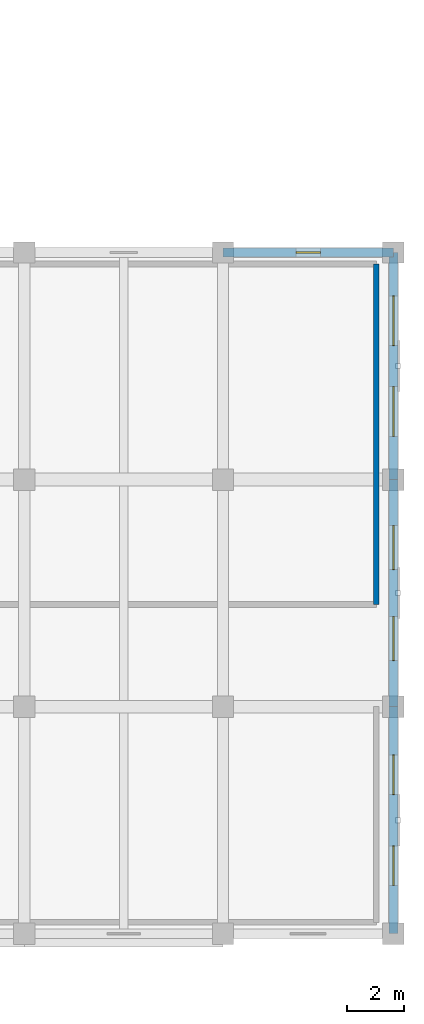
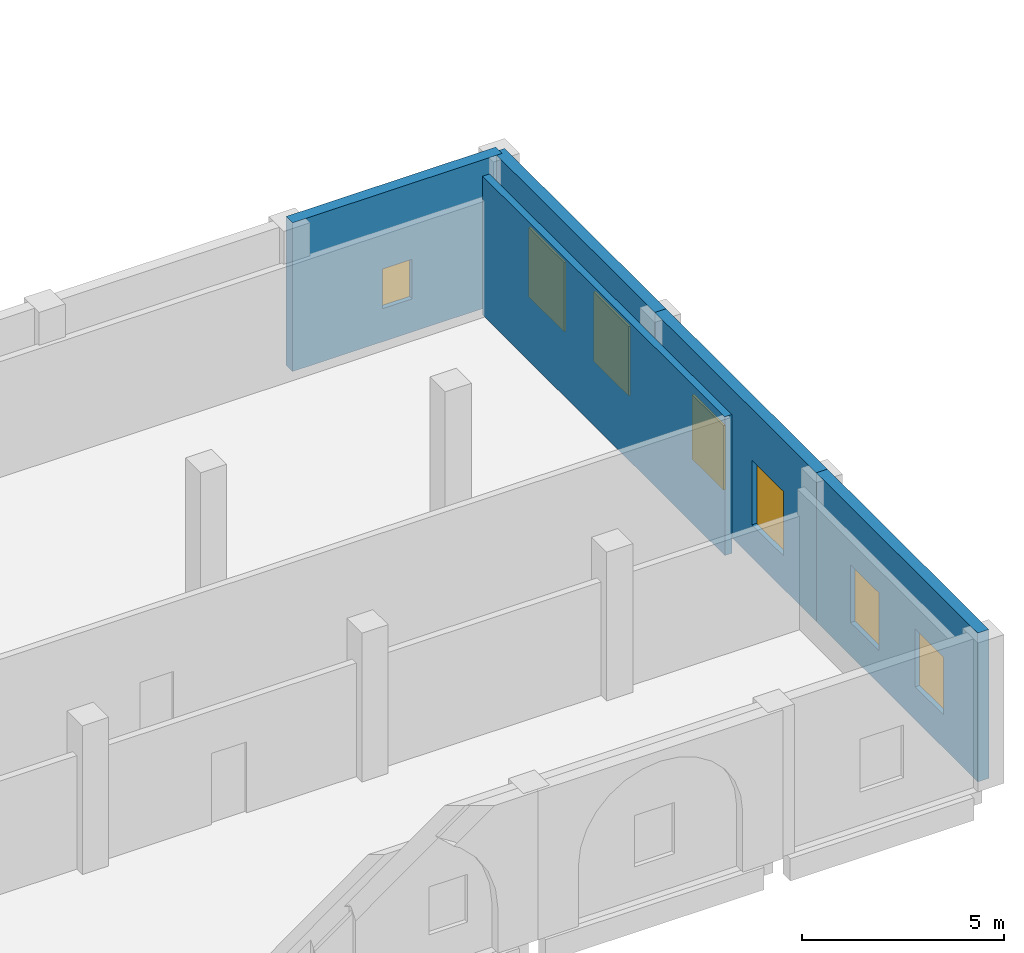
# One storey, part 36 of 53: 7 windows, 5 walls, 7 openings.
"""IFC4 building model written with IfcOpenShell, lengths in metres."""

from ifc_helpers import new_model, si_unit, direction, frame, frame_2d, origin, place, context, subcontext, project, spatial, rectangle, extrude, material, layer, layer_set, type_object, element, fill, save


model = new_model("IFC4")

# Units and contexts
model_context = context("Model", 3, precision=1e-05, world=origin(), true_north=direction((0.0, 1.0)))
body_context = subcontext(model_context, "Body", "Model", "MODEL_VIEW")
ifc_project = project(units=[si_unit("LENGTHUNIT", "METRE"), si_unit("AREAUNIT", "SQUARE_METRE"), si_unit("VOLUMEUNIT", "CUBIC_METRE"), si_unit("PLANEANGLEUNIT", "RADIAN"), si_unit("MASSUNIT", "GRAM", prefix="KILO")], contexts=[model_context])

# Site, building, storey
site_placement = place(None, origin())
site = spatial("IfcSite", under=ifc_project, at=site_placement, CompositionType="ELEMENT")
building_placement = place(site_placement, origin())
building = spatial("IfcBuilding", under=site, at=building_placement, Name="Qorikala Patio Media Centre", CompositionType="ELEMENT")
storey_placement = place(building_placement, frame((0.0, 0.0, 5.39990234375)))
storey = spatial("IfcBuildingStorey", under=building, at=storey_placement, Name="L01", CompositionType="ELEMENT", Elevation=5.39990234375)

# Wall, opening, window
ifc_material_1 = material(Name="Ivory Lime Stucco and Concrete C35/45", Category="concrete")
ifc_layer_1 = layer(ifc_material_1, 0.320068359375)
ifc_layer_set_1 = layer_set([ifc_layer_1], Name="Ivory Lime Stucco and Concrete C35/45")
wall_type_1 = type_object("IfcWallType", Name="WL-EXT-320", PredefinedType="SOLIDWALL", material=ifc_layer_set_1)
wall_1_placement = place(storey_placement, frame((161.0, 27.0, 0.0), z_axis=(0.0, 0.0, 1.0), x_axis=(1.0, 0.0, 0.0)))
wall_1 = element("IfcWall", 1, at=wall_1_placement, inside=storey, type_object=wall_type_1, Name="L01 Exterior Wall WL-L01-EXT-0055", PredefinedType="SOLIDWALL", context=body_context, shape_type="SweptSolid", body=[
    extrude(rectangle(XDim=6.0, YDim=0.320068359375, at=frame_2d((3.0, 0.0))), origin(), (0.0, 0.0, 1.0), 4.5),
])
opening_1_placement = place(wall_1_placement, frame((2.574951171875, 0.0, 1.0)))
opening_1 = element("IfcOpeningElement", 2, at=opening_1_placement, cuts=wall_1, Name="Opening WE-085", PredefinedType="OPENING", context=body_context, shape_type="SweptSolid", body=[
    extrude(rectangle(XDim=0.85009765625, YDim=1.199951171875, at=frame_2d((0.425048828125, 0.60009765625))), frame((0.0, 0.169921875, 0.0), z_axis=(0.0, -1.0, 0.0), x_axis=(1.0, 0.0, 0.0)), (0.0, 0.0, 1.0), 0.340087890625),
])
ifc_material_2 = material(Name="Bronze Anodised Aluminium and Low-E Glass", Category="aluminium")
window_type_1 = type_object("IfcWindowType", Name="WN-ED-085X120", PartitioningType="SINGLE_PANEL", PredefinedType="WINDOW", material=ifc_material_2)
window_1_placement = place(opening_1_placement, origin())
window_1 = element("IfcWindow", 3, at=window_1_placement, inside=storey, type_object=window_type_1, Name="L01 Editing Wing Casement Window 0110", OverallHeight=1.199951171875, OverallWidth=0.85009765625, PartitioningType="SINGLE_PANEL", PredefinedType="WINDOW", context=body_context, shape_type="SweptSolid", body=[
    extrude(rectangle(XDim=0.85009765625, YDim=1.199951171875, at=frame_2d((0.425048828125, 0.60009765625))), frame((0.0, 0.030029296875, 0.0), z_axis=(0.0, -1.0, 0.0), x_axis=(1.0, 0.0, 0.0)), (0.0, 0.0, 1.0), 0.06005859375),
])
fill(opening_1, window_1)

# Wall, openings, windows
wall_2_placement = place(storey_placement, frame((167.0, 27.0, 0.0), z_axis=(0.0, 0.0, 1.0), x_axis=(0.0, -1.0, 0.0)))
wall_2 = element("IfcWall", 4, at=wall_2_placement, inside=storey, type_object=wall_type_1, Name="L01 Exterior Wall WL-L01-EXT-0056", PredefinedType="SOLIDWALL", context=body_context, shape_type="SweptSolid", body=[
    extrude(rectangle(XDim=8.0, YDim=0.320068359375, at=frame_2d((4.0, 0.0))), origin(), (0.0, 0.0, 1.0), 4.5),
])
opening_2_placement = place(wall_2_placement, frame((1.52490234375, 0.0, 1.0)))
opening_2 = element("IfcOpeningElement", 5, at=opening_2_placement, cuts=wall_2, Name="Opening WE-175", PredefinedType="OPENING", context=body_context, shape_type="SweptSolid", body=[
    extrude(rectangle(XDim=1.75, YDim=2.10009765625, at=frame_2d((0.875, 1.050048828125))), frame((0.0, 0.169921875, 0.0), z_axis=(0.0, -1.0, 0.0), x_axis=(1.0, 0.0, 0.0)), (0.0, 0.0, 1.0), 0.340087890625),
])
opening_3_placement = place(wall_2_placement, frame((4.72509765625, 0.0, 1.0)))
opening_3 = element("IfcOpeningElement", 6, at=opening_3_placement, cuts=wall_2, Name="Opening WE-175", PredefinedType="OPENING", context=body_context, shape_type="SweptSolid", body=[
    extrude(rectangle(XDim=1.75, YDim=2.10009765625, at=frame_2d((0.875, 1.050048828125))), frame((0.0, 0.169921875, 0.0), z_axis=(0.0, -1.0, 0.0), x_axis=(1.0, 0.0, 0.0)), (0.0, 0.0, 1.0), 0.340087890625),
])
window_type_2 = type_object("IfcWindowType", Name="WN-ED-175X210", PartitioningType="SINGLE_PANEL", PredefinedType="WINDOW", material=ifc_material_2)
window_2_placement = place(opening_2_placement, origin())
window_2 = element("IfcWindow", 7, at=window_2_placement, inside=storey, type_object=window_type_2, Name="L01 Editing Wing Casement Window 0111", OverallHeight=2.10009765625, OverallWidth=1.75, PartitioningType="SINGLE_PANEL", PredefinedType="WINDOW", context=body_context, shape_type="SweptSolid", body=[
    extrude(rectangle(XDim=1.75, YDim=2.10009765625, at=frame_2d((0.875, 1.050048828125))), frame((0.0, 0.030029296875, 0.0), z_axis=(0.0, -1.0, 0.0), x_axis=(1.0, 0.0, 0.0)), (0.0, 0.0, 1.0), 0.06005859375),
])
fill(opening_2, window_2)
window_3_placement = place(opening_3_placement, origin())
window_3 = element("IfcWindow", 8, at=window_3_placement, inside=storey, type_object=window_type_2, Name="L01 Editing Wing Casement Window 0112", OverallHeight=2.10009765625, OverallWidth=1.75, PartitioningType="SINGLE_PANEL", PredefinedType="WINDOW", context=body_context, shape_type="SweptSolid", body=[
    extrude(rectangle(XDim=1.75, YDim=2.10009765625, at=frame_2d((0.875, 1.050048828125))), frame((0.0, 0.030029296875, 0.0), z_axis=(0.0, -1.0, 0.0), x_axis=(1.0, 0.0, 0.0)), (0.0, 0.0, 1.0), 0.06005859375),
])
fill(opening_3, window_3)

wall_3_placement = place(storey_placement, frame((167.0, 19.0, 0.0), z_axis=(0.0, 0.0, 1.0), x_axis=(0.0, -1.0, 0.0)))
wall_3 = element("IfcWall", 9, at=wall_3_placement, inside=storey, type_object=wall_type_1, Name="L01 Exterior Wall WL-L01-EXT-0057", PredefinedType="SOLIDWALL", context=body_context, shape_type="SweptSolid", body=[
    extrude(rectangle(XDim=8.0, YDim=0.320068359375, at=frame_2d((4.0, 0.0))), origin(), (0.0, 0.0, 1.0), 4.5),
])
opening_4_placement = place(wall_3_placement, frame((1.625, 0.0, 1.0)))
opening_4 = element("IfcOpeningElement", 10, at=opening_4_placement, cuts=wall_3, Name="Opening WE-155", PredefinedType="OPENING", context=body_context, shape_type="SweptSolid", body=[
    extrude(rectangle(XDim=1.550048828125, YDim=1.949951171875, at=frame_2d((0.77490234375, 0.97509765625))), frame((0.0, 0.169921875, 0.0), z_axis=(0.0, -1.0, 0.0), x_axis=(1.0, 0.0, 0.0)), (0.0, 0.0, 1.0), 0.340087890625),
])
opening_5_placement = place(wall_3_placement, frame((4.824951171875, 0.0, 1.0)))
opening_5 = element("IfcOpeningElement", 11, at=opening_5_placement, cuts=wall_3, Name="Opening WE-155", PredefinedType="OPENING", context=body_context, shape_type="SweptSolid", body=[
    extrude(rectangle(XDim=1.550048828125, YDim=1.949951171875, at=frame_2d((0.77490234375, 0.97509765625))), frame((0.0, 0.169921875, 0.0), z_axis=(0.0, -1.0, 0.0), x_axis=(1.0, 0.0, 0.0)), (0.0, 0.0, 1.0), 0.340087890625),
])
window_type_3 = type_object("IfcWindowType", Name="WN-ED-155X195", PartitioningType="SINGLE_PANEL", PredefinedType="WINDOW", material=ifc_material_2)
window_4_placement = place(opening_4_placement, origin())
window_4 = element("IfcWindow", 12, at=window_4_placement, inside=storey, type_object=window_type_3, Name="L01 Editing Wing Casement Window 0113", OverallHeight=1.949951171875, OverallWidth=1.550048828125, PartitioningType="SINGLE_PANEL", PredefinedType="WINDOW", context=body_context, shape_type="SweptSolid", body=[
    extrude(rectangle(XDim=1.550048828125, YDim=1.949951171875, at=frame_2d((0.77490234375, 0.97509765625))), frame((0.0, 0.030029296875, 0.0), z_axis=(0.0, -1.0, 0.0), x_axis=(1.0, 0.0, 0.0)), (0.0, 0.0, 1.0), 0.06005859375),
])
fill(opening_4, window_4)
window_5_placement = place(opening_5_placement, origin())
window_5 = element("IfcWindow", 13, at=window_5_placement, inside=storey, type_object=window_type_3, Name="L01 Editing Wing Casement Window 0114", OverallHeight=1.949951171875, OverallWidth=1.550048828125, PartitioningType="SINGLE_PANEL", PredefinedType="WINDOW", context=body_context, shape_type="SweptSolid", body=[
    extrude(rectangle(XDim=1.550048828125, YDim=1.949951171875, at=frame_2d((0.77490234375, 0.97509765625))), frame((0.0, 0.030029296875, 0.0), z_axis=(0.0, -1.0, 0.0), x_axis=(1.0, 0.0, 0.0)), (0.0, 0.0, 1.0), 0.06005859375),
])
fill(opening_5, window_5)

wall_4_placement = place(storey_placement, frame((167.0, 11.0, 0.0), z_axis=(0.0, 0.0, 1.0), x_axis=(0.0, -1.0, 0.0)))
wall_4 = element("IfcWall", 14, at=wall_4_placement, inside=storey, type_object=wall_type_1, Name="L01 Exterior Wall WL-L01-EXT-0058", PredefinedType="SOLIDWALL", context=body_context, shape_type="SweptSolid", body=[
    extrude(rectangle(XDim=8.0, YDim=0.320068359375, at=frame_2d((4.0, 0.0))), origin(), (0.0, 0.0, 1.0), 4.5),
])
opening_6_placement = place(wall_4_placement, frame((1.699951171875, 0.0, 1.0)))
opening_6 = element("IfcOpeningElement", 15, at=opening_6_placement, cuts=wall_4, Name="Opening WE-140", PredefinedType="OPENING", context=body_context, shape_type="SweptSolid", body=[
    extrude(rectangle(XDim=1.39990234375, YDim=1.75, at=frame_2d((0.699951171875, 0.875))), frame((0.0, 0.169921875, 0.0), z_axis=(0.0, -1.0, 0.0), x_axis=(1.0, 0.0, 0.0)), (0.0, 0.0, 1.0), 0.340087890625),
])
opening_7_placement = place(wall_4_placement, frame((4.89990234375, 0.0, 1.0)))
opening_7 = element("IfcOpeningElement", 16, at=opening_7_placement, cuts=wall_4, Name="Opening WE-140", PredefinedType="OPENING", context=body_context, shape_type="SweptSolid", body=[
    extrude(rectangle(XDim=1.39990234375, YDim=1.75, at=frame_2d((0.699951171875, 0.875))), frame((0.0, 0.169921875, 0.0), z_axis=(0.0, -1.0, 0.0), x_axis=(1.0, 0.0, 0.0)), (0.0, 0.0, 1.0), 0.340087890625),
])
window_type_4 = type_object("IfcWindowType", Name="WN-ED-140X175", PartitioningType="SINGLE_PANEL", PredefinedType="WINDOW", material=ifc_material_2)
window_6_placement = place(opening_6_placement, origin())
window_6 = element("IfcWindow", 17, at=window_6_placement, inside=storey, type_object=window_type_4, Name="L01 Editing Wing Casement Window 0115", OverallHeight=1.75, OverallWidth=1.39990234375, PartitioningType="SINGLE_PANEL", PredefinedType="WINDOW", context=body_context, shape_type="SweptSolid", body=[
    extrude(rectangle(XDim=1.39990234375, YDim=1.75, at=frame_2d((0.699951171875, 0.875))), frame((0.0, 0.030029296875, 0.0), z_axis=(0.0, -1.0, 0.0), x_axis=(1.0, 0.0, 0.0)), (0.0, 0.0, 1.0), 0.06005859375),
])
fill(opening_6, window_6)
window_7_placement = place(opening_7_placement, origin())
window_7 = element("IfcWindow", 18, at=window_7_placement, inside=storey, type_object=window_type_4, Name="L01 Editing Wing Casement Window 0116", OverallHeight=1.75, OverallWidth=1.39990234375, PartitioningType="SINGLE_PANEL", PredefinedType="WINDOW", context=body_context, shape_type="SweptSolid", body=[
    extrude(rectangle(XDim=1.39990234375, YDim=1.75, at=frame_2d((0.699951171875, 0.875))), frame((0.0, 0.030029296875, 0.0), z_axis=(0.0, -1.0, 0.0), x_axis=(1.0, 0.0, 0.0)), (0.0, 0.0, 1.0), 0.06005859375),
])
fill(opening_7, window_7)

# Wall
ifc_material_3 = material(Name="Acoustic Masonry and Plaster Concrete C30/37", Category="masonry")
ifc_layer_2 = layer(ifc_material_3, 0.199951171875)
ifc_layer_set_2 = layer_set([ifc_layer_2], Name="Acoustic Masonry and Plaster Concrete C30/37")
wall_type_2 = type_object("IfcWallType", Name="WL-ST-200", PredefinedType="PARTITIONING", material=ifc_layer_set_2)
wall_5_placement = place(storey_placement, frame((166.39990234375, 14.60009765625, 0.0), z_axis=(0.0, 0.0, 1.0), x_axis=(0.0, 1.0, 0.0)))
element("IfcWall", 19, at=wall_5_placement, inside=storey, type_object=wall_type_2, Name="L01 Interior Wall WINT-L01-CLT2-E", PredefinedType="PARTITIONING", context=body_context, shape_type="SweptSolid", body=[
    extrude(rectangle(XDim=12.0, YDim=0.199951171875, at=frame_2d((6.0, 0.0))), origin(), (0.0, 0.0, 1.0), 4.2001953125),
])

save(model, "model.ifc")
